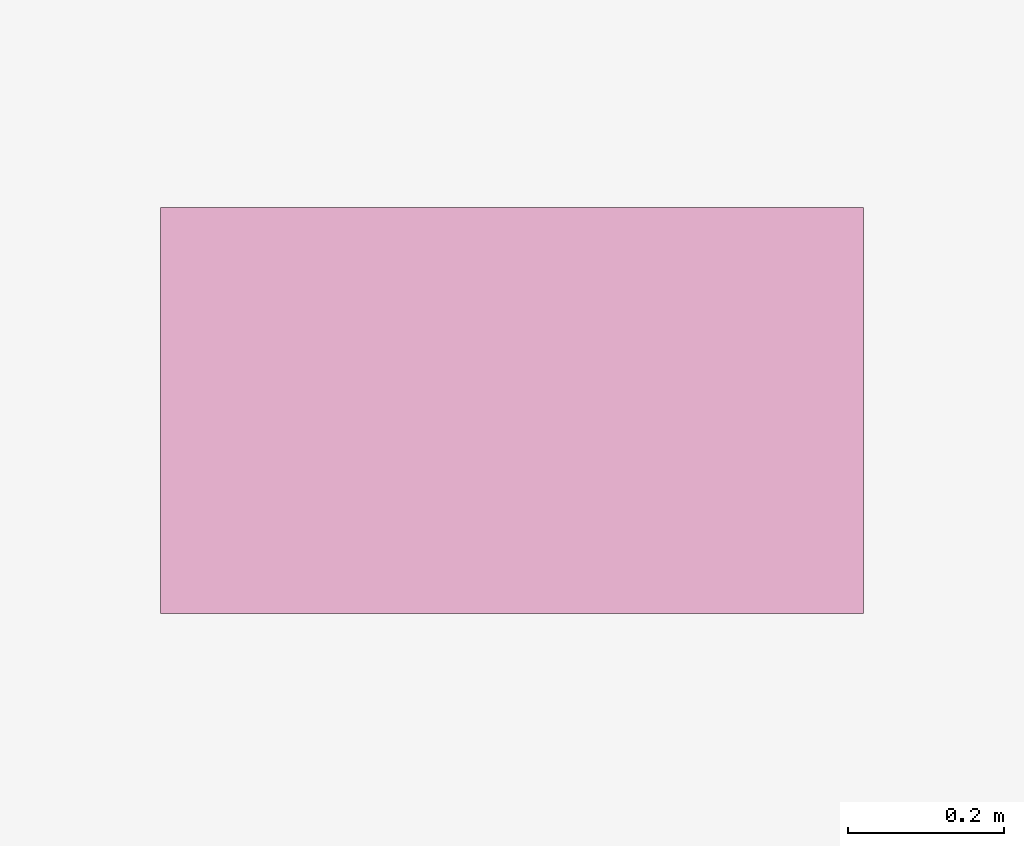
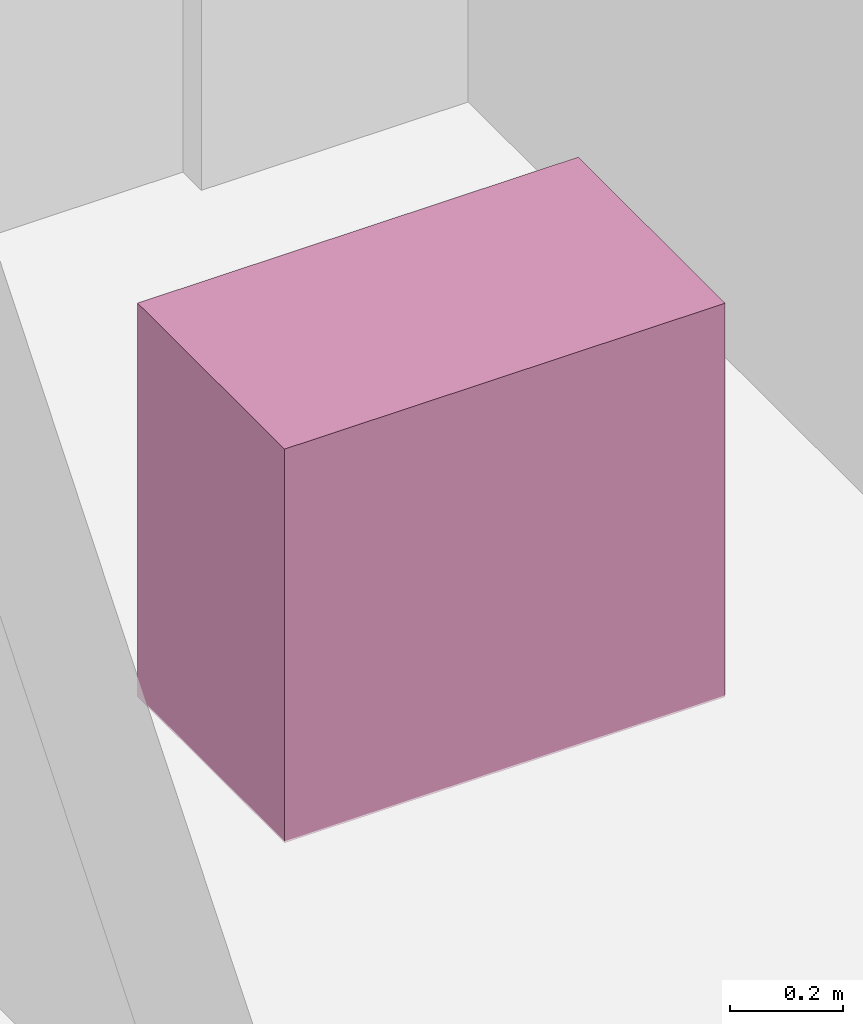
# One storey, part 31 of 31: 1 furnishing.
"""IFC4 building model written with IfcOpenShell, lengths in metres."""

import ifcopenshell
import ifcopenshell.guid

model = None  # the IFC model being written
_history = None  # IfcOwnerHistory: only IFC2X3 demands one
_inside = {}  # id of a spatial element -> (the spatial element, [elements in it])
_under = {}  # id of a project, library or spatial element -> (it, [spatial elements below it])
_declared = {}  # id of a project -> (the project, [libraries it declares])
_typed = {}  # id of a type object -> (the type object, [elements of that type])
_made_of = {}  # id of a material, layer set ... -> (it, [elements and type objects made of it])


def new_model(schema):
    """Start an empty IFC model of exactly this schema.

    Asked for "IFC4X3", IfcOpenShell would pick the latest addendum, in which some entities
    have other attributes; the version numbers below select the first issue.
    IFC2X3 requires an IfcOwnerHistory on every rooted entity: one is made here for all.
    """
    global model, _history
    if schema == "IFC4X3":
        model = ifcopenshell.file(schema_version=(4, 3, 0, 0))
    else:
        model = ifcopenshell.file(schema=schema)
    _inside.clear()
    _under.clear()
    _declared.clear()
    _typed.clear()
    _made_of.clear()
    _history = None
    if model.schema == "IFC2X3":
        org = make("IfcOrganization", Name="unknown")
        user = make(
            "IfcPersonAndOrganization",
            ThePerson=make("IfcPerson", FamilyName="unknown"),
            TheOrganization=org,
        )
        app = make(
            "IfcApplication",
            ApplicationDeveloper=org,
            Version="unknown",
            ApplicationFullName="unknown",
            ApplicationIdentifier="unknown",
        )
        _history = make(
            "IfcOwnerHistory",
            OwningUser=user,
            OwningApplication=app,
            ChangeAction="ADDED",
            CreationDate=0,
        )
    return model


def make(cls, **values):
    """One entity of the class cls with the attributes given. An attribute that is None is left unset."""
    return model.create_entity(
        cls, **{name: value for name, value in values.items() if value is not None}
    )


def rooted(cls, **values):
    """An entity with a GlobalId (a new one), such as an element, a storey or a relation."""
    return make(cls, GlobalId=ifcopenshell.guid.new(), OwnerHistory=_history, **values)


def si_unit(unit_type, name, prefix=None):
    """IfcSIUnit, for example si_unit("LENGTHUNIT", "METRE", prefix="MILLI")."""
    return make("IfcSIUnit", UnitType=unit_type, Prefix=prefix, Name=name)


def assignment(units):
    """IfcUnitAssignment: the units of a project."""
    return None if units is None else make("IfcUnitAssignment", Units=units)


def point(xyz):
    """IfcCartesianPoint."""
    return None if xyz is None else make("IfcCartesianPoint", Coordinates=xyz)


def direction(xyz):
    """IfcDirection."""
    return None if xyz is None else make("IfcDirection", DirectionRatios=xyz)


def frame(location, z_axis=None, x_axis=None):
    """IfcAxis2Placement3D, a coordinate frame: its origin and axes. An axis left out is left unset."""
    return make(
        "IfcAxis2Placement3D",
        Location=point(location),
        Axis=direction(z_axis),
        RefDirection=direction(x_axis),
    )


def frame_2d(location, x_axis=None):
    """IfcAxis2Placement2D, a coordinate frame in the plane: its origin and x axis."""
    return make(
        "IfcAxis2Placement2D", Location=point(location), RefDirection=direction(x_axis)
    )


def origin():
    """The frame at (0, 0, 0) with its axes left unset."""
    return frame((0.0, 0.0, 0.0))


def origin_2d():
    """The frame at (0, 0) in the plane with its x axis left unset."""
    return frame_2d((0.0, 0.0))


def place(relative_to, where):
    """IfcLocalPlacement: puts the frame where relative to a parent placement (None: the world)."""
    return make(
        "IfcLocalPlacement", PlacementRelTo=relative_to, RelativePlacement=where
    )


def context(
    kind, dimensions, precision=None, world=None, true_north=None, identifier=None
):
    """IfcGeometricRepresentationContext, for example the 3D "Model" context."""
    return make(
        "IfcGeometricRepresentationContext",
        ContextIdentifier=identifier,
        ContextType=kind,
        CoordinateSpaceDimension=dimensions,
        Precision=precision,
        WorldCoordinateSystem=world,
        TrueNorth=true_north,
    )


def subcontext(parent, identifier, kind, view, scale=None):
    """IfcGeometricRepresentationSubContext, for example "Body" below "Model"."""
    return make(
        "IfcGeometricRepresentationSubContext",
        ContextIdentifier=identifier,
        ContextType=kind,
        ParentContext=parent,
        TargetScale=scale,
        TargetView=view,
    )


def project(units=None, contexts=None):
    """IfcProject with its units and contexts."""
    return rooted(
        "IfcProject",
        Name="project",
        RepresentationContexts=contexts,
        UnitsInContext=assignment(units),
    )


def spatial(cls, under=None, at=None, **own):
    """A site, building, storey or space (cls), placed at a placement, below another one or the project."""
    s = rooted(cls, ObjectPlacement=at, **own)
    if under is not None:
        _under.setdefault(under.id(), (under, []))[1].append(s)
    return s


def profile(cls, at=None, kind="AREA", **sizes):
    """A parametric profile (cls). Its sizes go by their IFC names, for example OverallWidth=200.0."""
    return make(cls, ProfileType=kind, Position=at, **sizes)


def rectangle(**sizes):
    """IfcRectangleProfileDef."""
    return profile("IfcRectangleProfileDef", **sizes)


def extrude(swept, where, along, depth):
    """IfcExtrudedAreaSolid: the profile swept, set in the frame where, extruded along a direction by depth."""
    return make(
        "IfcExtrudedAreaSolid",
        SweptArea=swept,
        Position=where,
        ExtrudedDirection=direction(along),
        Depth=depth,
    )


def shape(context_of_items, identifier, shape_type, items):
    """IfcShapeRepresentation: the items that make up one representation, for example the "Body"."""
    return make(
        "IfcShapeRepresentation",
        ContextOfItems=context_of_items,
        RepresentationIdentifier=identifier,
        RepresentationType=shape_type,
        Items=items,
    )


def material(Name=None, Category=None):
    """IfcMaterial."""
    return make("IfcMaterial", Name=Name, Category=Category)


def made_of(thing, what):
    """Note that an element or type object is made of a material, layer set ...; save() writes the relation."""
    if what is not None:
        _made_of.setdefault(what.id(), (what, []))[1].append(thing)
    return thing


def type_object(cls, material=None, **own):
    """A type object (cls), such as IfcWallType, which elements share."""
    return made_of(rooted(cls, **own), material)


def element(
    cls,
    number,
    at=None,
    inside=None,
    cuts=None,
    type_object=None,
    material=None,
    context=None,
    identifier="Body",
    shape_type=None,
    held_by="IfcProductDefinitionShape",
    body=None,
    shapes=None,
    **own,
):
    """One element of the class cls, such as IfcWall. Its Tag is "e" and its number.

    at: its placement. inside: the storey or other place that contains it. cuts: it is an
    opening in that element (IfcRelVoidsElement). A single representation is given by context,
    identifier, shape_type and body (its items); several are given by shapes. held_by: the class
    of the entity that holds the representations. save() writes the other relations.
    """
    e = rooted(cls, Tag="e%d" % number, ObjectPlacement=at, **own)
    if body is not None:
        shapes = [shape(context, identifier, shape_type, body)]
    if shapes is not None:
        e.Representation = make(held_by, Representations=shapes)
    if inside is not None:
        _inside.setdefault(inside.id(), (inside, []))[1].append(e)
    if cuts is not None:
        rooted(
            "IfcRelVoidsElement", RelatingBuildingElement=cuts, RelatedOpeningElement=e
        )
    if type_object is not None:
        _typed.setdefault(type_object.id(), (type_object, []))[1].append(e)
    return made_of(e, material)


def aggregate(whole, parts):
    """IfcRelAggregates: a whole, such as a stair, and the parts it consists of."""
    return rooted("IfcRelAggregates", RelatingObject=whole, RelatedObjects=parts)


def save(model, path):
    """Write the relations noted so far, then the file.

    IfcRelAggregates (storeys below a building ...), IfcRelContainedInSpatialStructure (elements
    in a storey), IfcRelDefinesByType, IfcRelAssociatesMaterial and IfcRelDeclares: one each for
    every whole, place, type object, material and project.
    """
    for whole, parts in _under.values():
        aggregate(whole, parts)
    for where, things in _inside.values():
        rooted(
            "IfcRelContainedInSpatialStructure",
            RelatedElements=things,
            RelatingStructure=where,
        )
    for kind, things in _typed.values():
        rooted("IfcRelDefinesByType", RelatedObjects=things, RelatingType=kind)
    for what, things in _made_of.values():
        rooted("IfcRelAssociatesMaterial", RelatedObjects=things, RelatingMaterial=what)
    for by, libraries in _declared.values():
        rooted("IfcRelDeclares", RelatingContext=by, RelatedDefinitions=libraries)
    model.write(path)


model = new_model("IFC4")

# Units and contexts
model_context = context("Model", 3, precision=1e-05, world=origin(), true_north=direction((0.0, 1.0)))
body_context = subcontext(model_context, "Body", "Model", "MODEL_VIEW")
ifc_project = project(units=[si_unit("LENGTHUNIT", "METRE"), si_unit("AREAUNIT", "SQUARE_METRE"), si_unit("VOLUMEUNIT", "CUBIC_METRE"), si_unit("PLANEANGLEUNIT", "RADIAN"), si_unit("MASSUNIT", "GRAM", prefix="KILO")], contexts=[model_context])

# Site, building, storey
site_placement = place(None, origin())
site = spatial("IfcSite", under=ifc_project, at=site_placement, CompositionType="ELEMENT")
building_placement = place(site_placement, origin())
building = spatial("IfcBuilding", under=site, at=building_placement, Name="Vorneva Point Tower", CompositionType="ELEMENT")
storey_placement = place(building_placement, frame((0.0, 0.0, 244.89990234375)))
storey = spatial("IfcBuildingStorey", under=building, at=storey_placement, Name="L66", CompositionType="ELEMENT", Elevation=244.89990234375)

# Furnishing
ifc_material = material(Name="Vitreous china and granite top", Category="masonry")
furniture_type = type_object("IfcFurnitureType", Name="FUR-VAN-900", AssemblyPlace="NOTDEFINED", PredefinedType="NOTDEFINED", material=ifc_material)
furnishing_placement = place(storey_placement, frame((34.52490234375, 32.1201171875, -0.0048828125), z_axis=(0.0, 0.0, 1.0), x_axis=(1.0, 0.0, 0.0)))
element("IfcFurnishingElement", 1, at=furnishing_placement, inside=storey, type_object=furniture_type, Name="L66 Accessible WC Vanity Unit", ObjectType="L66 Accessible WC Vanity Unit", context=body_context, shape_type="SweptSolid", body=[
    extrude(rectangle(XDim=0.89990234375, YDim=0.52001953125, at=origin_2d()), origin(), (0.0, 0.0, 1.0), 0.85009765625),
])

save(model, "model.ifc")
